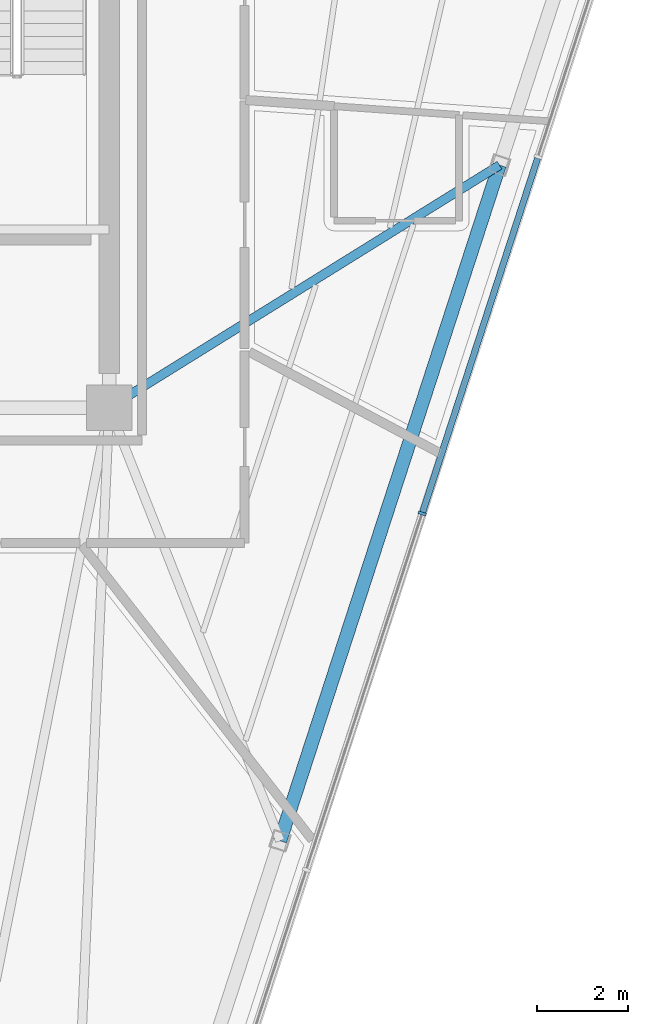
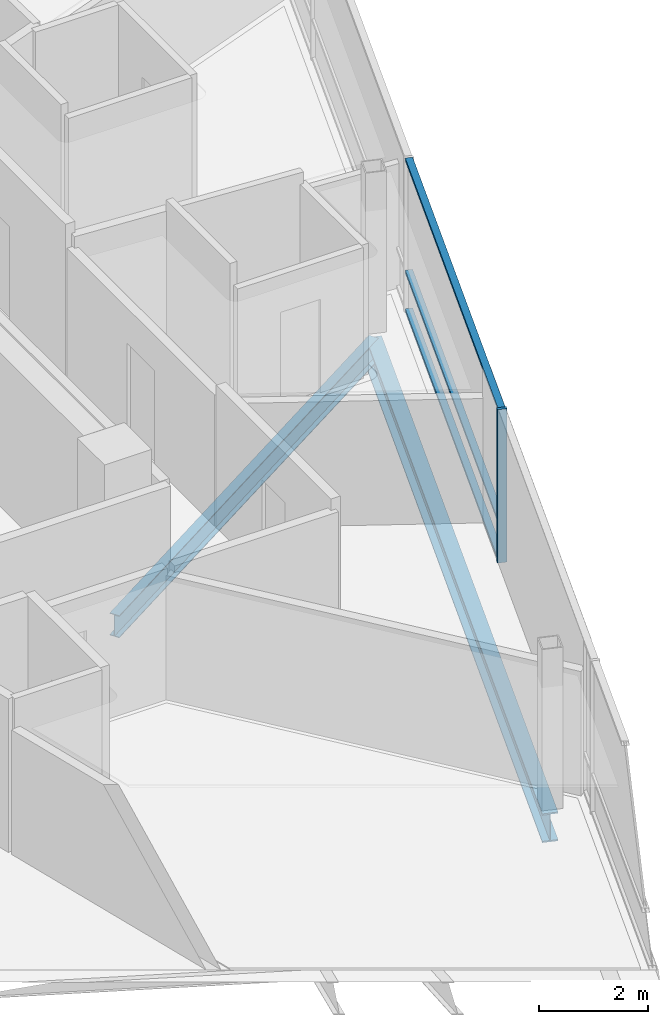
# One storey, part 5 of 17: 4 members, 2 beams, 1 element without a shape of its own.
"""IFC4 building model written with IfcOpenShell, lengths in metres."""

from ifc_helpers import new_model, si_unit, direction, frame, origin, origin_2d, place, context, subcontext, project, spatial, rectangle, i_section, extrude, material, layer, layer_set, material_profile, profile_set, type_object, element, aggregate, save


model = new_model("IFC4")

# Units and contexts
model_context = context("Model", 3, precision=1e-05, world=origin(), true_north=direction((0.0, 1.0)))
body_context = subcontext(model_context, "Body", "Model", "MODEL_VIEW")
ifc_project = project(units=[si_unit("LENGTHUNIT", "METRE"), si_unit("AREAUNIT", "SQUARE_METRE"), si_unit("VOLUMEUNIT", "CUBIC_METRE"), si_unit("PLANEANGLEUNIT", "RADIAN"), si_unit("MASSUNIT", "GRAM", prefix="KILO")], contexts=[model_context])

# Site, building, storey
site_placement = place(None, origin())
site = spatial("IfcSite", under=ifc_project, at=site_placement, CompositionType="ELEMENT")
building_placement = place(site_placement, origin())
building = spatial("IfcBuilding", under=site, at=building_placement, Name="Tharavind Bronze Gate", CompositionType="ELEMENT")
storey_placement = place(building_placement, frame((0.0, 0.0, 294.35009765625)))
storey = spatial("IfcBuildingStorey", under=building, at=storey_placement, Name="L76", CompositionType="ELEMENT", Elevation=294.35009765625)

# Curtain wall, members
ifc_material_1 = material(Name="Anodised Bronze Aluminium", Category="aluminium")
ifc_layer = layer(ifc_material_1, 0.219970703125)
ifc_layer_set = layer_set([ifc_layer], Name="Anodised Bronze Aluminium")
curtain_wall_type = type_object("IfcCurtainWallType", Name="UNITISED CURTAIN WALL CROWN", PredefinedType="USERDEFINED", material=ifc_layer_set)
curtain_wall_placement = place(storey_placement, origin())
curtain_wall = element("IfcCurtainWall", 1, at=curtain_wall_placement, inside=storey, type_object=curtain_wall_type, Name="L76 unitised curtain wall crown CW-L76-S2", ObjectType="UNITISED CURTAIN WALL", PredefinedType="USERDEFINED")
member_type_1 = type_object("IfcMemberType", Name="CURTAIN WALL BRONZE MULLION 65X180", PredefinedType="MULLION", material=ifc_material_1)
member_1_placement = place(storey_placement, frame((15.78759765625, -9.9296875, 0.0), z_axis=(0.0, 0.0, 1.0), x_axis=(0.309016994375, 0.951056516295, 0.0)))
member_1 = element("IfcMember", 2, at=member_1_placement, type_object=member_type_1, Name="CW-L76-S2 mullion 4", PredefinedType="MULLION", context=body_context, shape_type="SweptSolid", body=[
    extrude(rectangle(XDim=0.06494140625, YDim=0.179931640625, at=origin_2d()), origin(), (0.0, 0.0, 1.0), 3.449951171875),
])
member_type_2 = type_object("IfcMemberType", Name="CURTAIN WALL BRONZE TRANSOM 65X140", PredefinedType="USERDEFINED", material=ifc_material_1)
member_2_placement = place(storey_placement, frame((17.06201171875, -6.007568359375, 0.0), z_axis=(0.0, 0.0, 1.0), x_axis=(0.309016994375, 0.951056516295, 0.0)))
member_2 = element("IfcMember", 3, at=member_2_placement, type_object=member_type_2, Name="CW-L76-S2 transom TB4", ObjectType="TRANSOM", PredefinedType="USERDEFINED", context=body_context, shape_type="SweptSolid", body=[
    extrude(rectangle(XDim=8.195068359375, YDim=0.139892578125, at=origin_2d()), origin(), (0.0, 0.0, 1.0), 0.06494140625),
])
member_3_placement = place(storey_placement, frame((17.06201171875, -6.007568359375, 0.867431640625), z_axis=(0.0, 0.0, 1.0), x_axis=(0.309016994375, 0.951056516295, 0.0)))
member_3 = element("IfcMember", 4, at=member_3_placement, type_object=member_type_2, Name="CW-L76-S2 transom TS4", ObjectType="TRANSOM", PredefinedType="USERDEFINED", context=body_context, shape_type="SweptSolid", body=[
    extrude(rectangle(XDim=8.195068359375, YDim=0.139892578125, at=origin_2d()), origin(), (0.0, 0.0, 1.0), 0.06494140625),
])
member_4_placement = place(storey_placement, frame((17.06201171875, -6.007568359375, 3.385009765625), z_axis=(0.0, 0.0, 1.0), x_axis=(0.309016994375, 0.951056516295, 0.0)))
member_4 = element("IfcMember", 5, at=member_4_placement, type_object=member_type_2, Name="CW-L76-S2 transom TT4", ObjectType="TRANSOM", PredefinedType="USERDEFINED", context=body_context, shape_type="SweptSolid", body=[
    extrude(rectangle(XDim=8.195068359375, YDim=0.139892578125, at=origin_2d()), origin(), (0.0, 0.0, 1.0), 0.06494140625),
])
aggregate(curtain_wall, [member_1, member_2, member_3, member_4])

# Beams
ifc_material_2 = material(Name="Steel S355", Category="steel")
ifc_material_profile_1 = material_profile(ifc_material_2, i_section(OverallWidth=0.300048828125, OverallDepth=0.64990234375, WebThickness=0.01611328125, FlangeThickness=0.031005859375, at=origin_2d()), Name="HE650B")
ifc_profile_set_1 = profile_set([ifc_material_profile_1], Name="Steel S355")
beam_type_1 = type_object("IfcBeamType", Name="PRIMARY GIRDER HE650B", PredefinedType="USERDEFINED", material=ifc_profile_set_1)
beam_1_placement = place(storey_placement, frame((12.6591796875, -17.130615234375, -0.510009765625), z_axis=(0.30902108499, 0.951055187164, 0.0), x_axis=(-0.951055187164, 0.30902108499, 0.0)))
element("IfcBeam", 6, at=beam_1_placement, inside=storey, type_object=beam_type_1, Name="L76 primary girder he650b BM-L76-PRG06", ObjectType="GIRDER", PredefinedType="USERDEFINED", context=body_context, shape_type="SweptSolid", body=[
    extrude(i_section(OverallWidth=0.300048828125, OverallDepth=0.64990234375, WebThickness=0.01611328125, FlangeThickness=0.031005859375, at=origin_2d()), origin(), (0.0, 0.0, 1.0), 15.63037109375),
])
ifc_material_profile_2 = material_profile(ifc_material_2, i_section(OverallWidth=0.199951171875, OverallDepth=0.5, WebThickness=0.01025390625, FlangeThickness=0.01611328125, at=origin_2d()), Name="IPE500")
ifc_profile_set_2 = profile_set([ifc_material_profile_2], Name="Steel S355")
beam_type_2 = type_object("IfcBeamType", Name="PRIMARY GIRDER IPE500", PredefinedType="USERDEFINED", material=ifc_profile_set_2)
beam_2_placement = place(storey_placement, frame((17.4892578125, -2.265380859375, -0.43505859375), z_axis=(-0.849489786576, -0.527605063, 0.0), x_axis=(0.527605063, -0.849489786576, 0.0)))
element("IfcBeam", 7, at=beam_2_placement, inside=storey, type_object=beam_type_2, Name="L76 primary girder ipe500 BM-L76-RAD07", ObjectType="GIRDER", PredefinedType="USERDEFINED", context=body_context, shape_type="SweptSolid", body=[
    extrude(i_section(OverallWidth=0.199951171875, OverallDepth=0.5, WebThickness=0.01025390625, FlangeThickness=0.01611328125, at=origin_2d()), origin(), (0.0, 0.0, 1.0), 10.111083984375),
])

save(model, "model.ifc")
